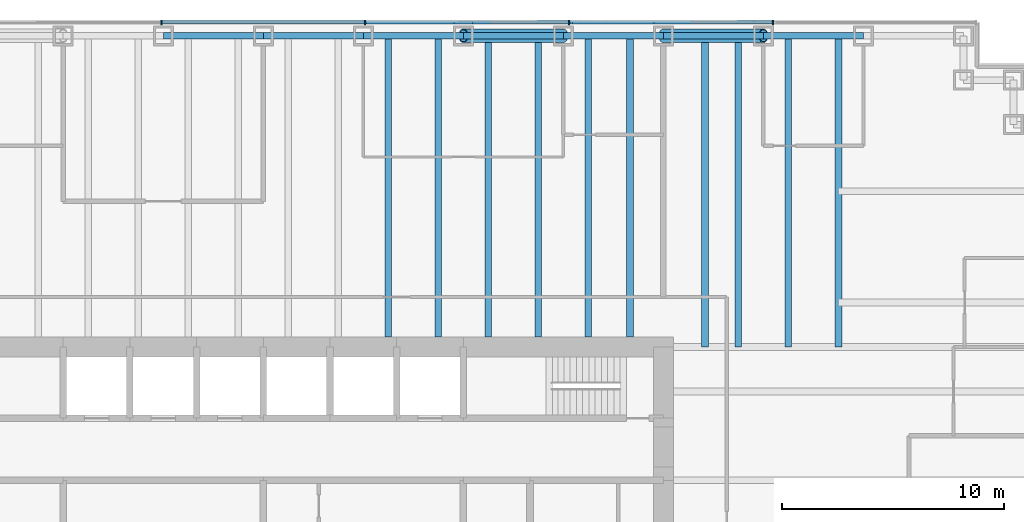
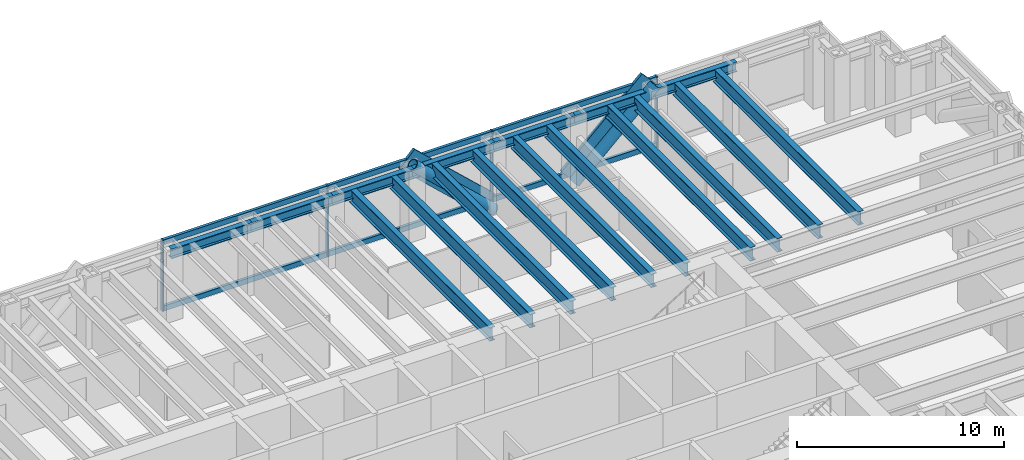
# One storey, part 7 of 15: 17 beams, 14 members, 1 element without a shape of its own.
"""IFC4 building model written with IfcOpenShell, lengths in metres."""

from ifc_helpers import new_model, si_unit, direction, frame, origin, origin_2d, place, context, subcontext, project, spatial, rectangle, hollow_circle, i_section, extrude, material, material_profile, profile_set, type_object, element, aggregate, save


model = new_model("IFC4")

# Units and contexts
model_context = context("Model", 3, precision=1e-05, world=origin(), true_north=direction((0.0, 1.0)))
body_context = subcontext(model_context, "Body", "Model", "MODEL_VIEW")
ifc_project = project(units=[si_unit("LENGTHUNIT", "METRE"), si_unit("AREAUNIT", "SQUARE_METRE"), si_unit("VOLUMEUNIT", "CUBIC_METRE"), si_unit("PLANEANGLEUNIT", "RADIAN"), si_unit("MASSUNIT", "GRAM", prefix="KILO")], contexts=[model_context])

# Site, building, storey
site_placement = place(None, origin())
site = spatial("IfcSite", under=ifc_project, at=site_placement, CompositionType="ELEMENT")
building_placement = place(site_placement, origin())
building = spatial("IfcBuilding", under=site, at=building_placement, Name="Rheinbord Bourse Tower", CompositionType="ELEMENT")
storey_placement = place(building_placement, frame((0.0, 0.0, 142.5)))
storey = spatial("IfcBuildingStorey", under=building, at=storey_placement, Name="L31", CompositionType="ELEMENT", Elevation=142.5)

# Curtain wall, members
ifc_material_1 = material(Name="Dark glass and black aluminium", Category="aluminium")
curtain_wall_type = type_object("IfcCurtainWallType", Name="CW2 DARK GLASS CURTAIN WALL", PredefinedType="USERDEFINED", material=ifc_material_1)
curtain_wall_placement = place(storey_placement, origin())
curtain_wall = element("IfcCurtainWall", 1, at=curtain_wall_placement, inside=storey, type_object=curtain_wall_type, Name="Curtain wall CW2 N L31", ObjectType="UNITISED CURTAIN WALL", PredefinedType="USERDEFINED")
ifc_material_2 = material(Name="Black anodised aluminium", Category="aluminium")
ifc_material_profile_1 = material_profile(ifc_material_2, rectangle(XDim=0.159912109375, YDim=1.2099609375, at=origin_2d()), Name="CW2 DIAGONAL MULLION 1210x160")
ifc_profile_set_1 = profile_set([ifc_material_profile_1], Name="Black anodised aluminium")
member_type_1 = type_object("IfcMemberType", Name="CW2 BLACK DIAGONAL MULLION", PredefinedType="USERDEFINED", material=ifc_profile_set_1)
member_1_placement = place(storey_placement, frame((49.5, 46.60009765625, 0.0), z_axis=(-0.73105922506, 0.0, 0.682314010889), x_axis=(0.0, -1.0, 0.0)))
member_1 = element("IfcMember", 2, at=member_1_placement, type_object=member_type_1, Name="CW2 diagonal mullion b", ObjectType="DIAGONAL MULLION", PredefinedType="USERDEFINED", context=body_context, shape_type="SweptSolid", body=[
    extrude(rectangle(XDim=0.159912109375, YDim=1.2099609375, at=origin_2d()), origin(), (0.0, 0.0, 1.0), 6.155517578125),
])
member_2_placement = place(storey_placement, frame((54.0, 46.60009765625, 0.0), z_axis=(0.73105922506, 0.0, 0.682314010889), x_axis=(0.0, 1.0, 0.0)))
member_2 = element("IfcMember", 3, at=member_2_placement, type_object=member_type_1, Name="CW2 diagonal mullion c", ObjectType="DIAGONAL MULLION", PredefinedType="USERDEFINED", context=body_context, shape_type="SweptSolid", body=[
    extrude(rectangle(XDim=0.159912109375, YDim=1.2099609375, at=origin_2d()), origin(), (0.0, 0.0, 1.0), 6.155517578125),
])
ifc_material_3 = material(Name="Black anodised aluminium", Category="aluminium")
ifc_material_profile_2 = material_profile(ifc_material_3, rectangle(XDim=0.219970703125, YDim=0.070068359375, at=origin_2d()), Name="CW2 MULLION 70x220")
ifc_profile_set_2 = profile_set([ifc_material_profile_2], Name="Black anodised aluminium")
member_type_2 = type_object("IfcMemberType", Name="CW2 BLACK MULLION", PredefinedType="MULLION", material=ifc_profile_set_2)
member_3_placement = place(storey_placement, frame((58.928466796875, 46.60009765625, 0.0), z_axis=(0.0, 0.0, 1.0), x_axis=(0.0, -1.0, 0.0)))
member_3 = element("IfcMember", 4, at=member_3_placement, type_object=member_type_2, Name="CW2 mullion 2", PredefinedType="MULLION", context=body_context, shape_type="SweptSolid", body=[
    extrude(rectangle(XDim=0.219970703125, YDim=0.070068359375, at=origin_2d()), origin(), (0.0, 0.0, 1.0), 4.199951171875),
])
member_4_placement = place(storey_placement, frame((49.757080078125, 46.60009765625, 0.0), z_axis=(0.0, 0.0, 1.0), x_axis=(0.0, -1.0, 0.0)))
member_4 = element("IfcMember", 5, at=member_4_placement, type_object=member_type_2, Name="CW2 mullion 3", PredefinedType="MULLION", context=body_context, shape_type="SweptSolid", body=[
    extrude(rectangle(XDim=0.219970703125, YDim=0.070068359375, at=origin_2d()), origin(), (0.0, 0.0, 1.0), 4.199951171875),
])
member_5_placement = place(storey_placement, frame((40.585693359375, 46.60009765625, 0.0), z_axis=(0.0, 0.0, 1.0), x_axis=(0.0, -1.0, 0.0)))
member_5 = element("IfcMember", 6, at=member_5_placement, type_object=member_type_2, Name="CW2 mullion 4", PredefinedType="MULLION", context=body_context, shape_type="SweptSolid", body=[
    extrude(rectangle(XDim=0.219970703125, YDim=0.070068359375, at=origin_2d()), origin(), (0.0, 0.0, 1.0), 4.199951171875),
])
member_6_placement = place(storey_placement, frame((31.414306640625, 46.60009765625, 0.0), z_axis=(0.0, 0.0, 1.0), x_axis=(0.0, -1.0, 0.0)))
member_6 = element("IfcMember", 7, at=member_6_placement, type_object=member_type_2, Name="CW2 mullion 5", PredefinedType="MULLION", context=body_context, shape_type="SweptSolid", body=[
    extrude(rectangle(XDim=0.219970703125, YDim=0.070068359375, at=origin_2d()), origin(), (0.0, 0.0, 1.0), 4.199951171875),
])
ifc_material_4 = material(Name="Black anodised aluminium", Category="aluminium")
ifc_material_profile_3 = material_profile(ifc_material_4, rectangle(XDim=0.159912109375, YDim=0.300048828125, at=origin_2d()), Name="CW2 TRANSOM 300x160")
ifc_profile_set_3 = profile_set([ifc_material_profile_3], Name="Black anodised aluminium")
member_type_3 = type_object("IfcMemberType", Name="CW2 BLACK TRANSOM", PredefinedType="USERDEFINED", material=ifc_profile_set_3)
member_7_placement = place(storey_placement, frame((58.8935546875, 46.60009765625, 0.14990234375), z_axis=(-1.0, 0.0, 0.0), x_axis=(0.0, -1.0, 0.0)))
member_7 = element("IfcMember", 8, at=member_7_placement, type_object=member_type_3, Name="CW2 transom 2.1", ObjectType="TRANSOM", PredefinedType="USERDEFINED", context=body_context, shape_type="SweptSolid", body=[
    extrude(rectangle(XDim=0.159912109375, YDim=0.300048828125, at=origin_2d()), origin(), (0.0, 0.0, 1.0), 9.101318359375),
])
member_8_placement = place(storey_placement, frame((58.8935546875, 46.60009765625, 4.050048828125), z_axis=(-1.0, 0.0, 0.0), x_axis=(0.0, -1.0, 0.0)))
member_8 = element("IfcMember", 9, at=member_8_placement, type_object=member_type_3, Name="CW2 transom 2.2", ObjectType="TRANSOM", PredefinedType="USERDEFINED", context=body_context, shape_type="SweptSolid", body=[
    extrude(rectangle(XDim=0.159912109375, YDim=0.300048828125, at=origin_2d()), origin(), (0.0, 0.0, 1.0), 9.101318359375),
])
member_9_placement = place(storey_placement, frame((49.72216796875, 46.60009765625, 0.14990234375), z_axis=(-1.0, 0.0, 0.0), x_axis=(0.0, -1.0, 0.0)))
member_9 = element("IfcMember", 10, at=member_9_placement, type_object=member_type_3, Name="CW2 transom 3.1", ObjectType="TRANSOM", PredefinedType="USERDEFINED", context=body_context, shape_type="SweptSolid", body=[
    extrude(rectangle(XDim=0.159912109375, YDim=0.300048828125, at=origin_2d()), origin(), (0.0, 0.0, 1.0), 9.1015625),
])
member_10_placement = place(storey_placement, frame((49.72216796875, 46.60009765625, 4.050048828125), z_axis=(-1.0, 0.0, 0.0), x_axis=(0.0, -1.0, 0.0)))
member_10 = element("IfcMember", 11, at=member_10_placement, type_object=member_type_3, Name="CW2 transom 3.2", ObjectType="TRANSOM", PredefinedType="USERDEFINED", context=body_context, shape_type="SweptSolid", body=[
    extrude(rectangle(XDim=0.159912109375, YDim=0.300048828125, at=origin_2d()), origin(), (0.0, 0.0, 1.0), 9.1015625),
])
member_11_placement = place(storey_placement, frame((40.55078125, 46.60009765625, 0.14990234375), z_axis=(-1.0, 0.0, 0.0), x_axis=(0.0, -1.0, 0.0)))
member_11 = element("IfcMember", 12, at=member_11_placement, type_object=member_type_3, Name="CW2 transom 4.1", ObjectType="TRANSOM", PredefinedType="USERDEFINED", context=body_context, shape_type="SweptSolid", body=[
    extrude(rectangle(XDim=0.159912109375, YDim=0.300048828125, at=origin_2d()), origin(), (0.0, 0.0, 1.0), 9.1015625),
])
member_12_placement = place(storey_placement, frame((40.55078125, 46.60009765625, 4.050048828125), z_axis=(-1.0, 0.0, 0.0), x_axis=(0.0, -1.0, 0.0)))
member_12 = element("IfcMember", 13, at=member_12_placement, type_object=member_type_3, Name="CW2 transom 4.2", ObjectType="TRANSOM", PredefinedType="USERDEFINED", context=body_context, shape_type="SweptSolid", body=[
    extrude(rectangle(XDim=0.159912109375, YDim=0.300048828125, at=origin_2d()), origin(), (0.0, 0.0, 1.0), 9.1015625),
])
aggregate(curtain_wall, [member_3, member_4, member_5, member_6, member_7, member_8, member_9, member_10, member_11, member_12, member_1, member_2])

# Beams
ifc_material_5 = material(Name="Steel S460", Category="steel")
ifc_material_profile_4 = material_profile(ifc_material_5, i_section(OverallWidth=0.300048828125, OverallDepth=0.800048828125, WebThickness=0.017578125, FlangeThickness=0.032958984375, at=origin_2d()), Name="HEB 800")
ifc_profile_set_4 = profile_set([ifc_material_profile_4], Name="Steel S460")
beam_type_1 = type_object("IfcBeamType", Name="FLOOR BEAM HEB 800", PredefinedType="BEAM", material=ifc_profile_set_4)
for number, where, z_axis, x_axis, name in (
    (14, (41.625, 46.0, 3.639892578125), (0.0, -1.0, 0.0), (1.0, 0.0, 0.0), "Floor beam N-40.5a L32"),
    (15, (43.875, 46.0, 3.639892578125), (0.0, -1.0, 0.0), (1.0, 0.0, 0.0), "Floor beam N-40.5b L32"),
    (16, (46.125, 46.0, 3.639892578125), (0.0, -1.0, 0.0), (1.0, 0.0, 0.0), "Floor beam N-45a L32"),
    (17, (48.375, 46.0, 3.639892578125), (0.0, -1.0, 0.0), (1.0, 0.0, 0.0), "Floor beam N-45b L32"),
    (18, (50.625, 46.0, 3.639892578125), (0.0, -1.0, 0.0), (1.0, 0.0, 0.0), "Floor beam N-49.5a L32"),
    (19, (52.5, 46.0, 3.639892578125), (0.0, -1.0, 0.0), (1.0, 0.0, 0.0), "Floor beam N-49.5b L32"),
):
    element("IfcBeam", number, at=place(storey_placement, frame(where, z_axis=z_axis, x_axis=x_axis)), inside=storey, type_object=beam_type_1, Name=name, PredefinedType="BEAM", context=body_context, shape_type="SweptSolid", body=[
        extrude(i_section(OverallWidth=0.300048828125, OverallDepth=0.800048828125, WebThickness=0.017578125, FlangeThickness=0.032958984375, at=origin_2d()), origin(), (0.0, 0.0, 1.0), 13.550048828125),
    ])
for number, where, z_axis, x_axis, name in (
    (20, (55.875, 46.0, 3.639892578125), (0.0, -1.0, 0.0), (1.0, 0.0, 0.0), "Floor beam N-54a L32"),
    (21, (57.375, 46.0, 3.639892578125), (0.0, -1.0, 0.0), (1.0, 0.0, 0.0), "Floor beam N-54b L32"),
    (22, (59.625, 46.0, 3.639892578125), (0.0, -1.0, 0.0), (1.0, 0.0, 0.0), "Floor beam N-58.5a L32"),
    (23, (61.875, 46.0, 3.639892578125), (0.0, -1.0, 0.0), (1.0, 0.0, 0.0), "Floor beam N-58.5b L32"),
):
    element("IfcBeam", number, at=place(storey_placement, frame(where, z_axis=z_axis, x_axis=x_axis)), inside=storey, type_object=beam_type_1, Name=name, PredefinedType="BEAM", context=body_context, shape_type="SweptSolid", body=[
        extrude(i_section(OverallWidth=0.300048828125, OverallDepth=0.800048828125, WebThickness=0.017578125, FlangeThickness=0.032958984375, at=origin_2d()), origin(), (0.0, 0.0, 1.0), 14.0),
    ])

# Members
ifc_material_6 = material(Name="Steel S460", Category="steel")
ifc_material_profile_5 = material_profile(ifc_material_6, hollow_circle(Radius=0.304931640625, WallThickness=0.0400390625, at=origin_2d()), Name="CHS 610x40")
ifc_profile_set_5 = profile_set([ifc_material_profile_5], Name="Steel S460")
member_type_4 = type_object("IfcMemberType", Name="MEGABRACE CHS 610x40", PredefinedType="BRACE", material=ifc_profile_set_5)
for number, where, z_axis, x_axis, name in (
    (24, (49.5, 46.0, 0.0), (-0.73105922506, 0.0, 0.682314010889), (0.0, -1.0, 0.0), "Megabrace N face line b L31"),
    (25, (54.0, 46.0, 0.0), (0.73105922506, 0.0, 0.682314010889), (0.0, 1.0, 0.0), "Megabrace N face line c L31"),
):
    element("IfcMember", number, at=place(storey_placement, frame(where, z_axis=z_axis, x_axis=x_axis)), inside=storey, type_object=member_type_4, Name=name, PredefinedType="BRACE", context=body_context, shape_type="SweptSolid", body=[
        extrude(hollow_circle(Radius=0.304931640625, WallThickness=0.0400390625, at=origin_2d()), origin(), (0.0, 0.0, 1.0), 6.155517578125),
    ])

# Beams
ifc_material_7 = material(Name="Steel S460", Category="steel")
ifc_material_profile_6 = material_profile(ifc_material_7, i_section(OverallWidth=0.305908203125, OverallDepth=0.572021484375, WebThickness=0.02099609375, FlangeThickness=0.0400390625, at=origin_2d()), Name="HEM 550")
ifc_profile_set_6 = profile_set([ifc_material_profile_6], Name="Steel S460")
beam_type_2 = type_object("IfcBeamType", Name="SPANDREL HEM 550", PredefinedType="SPANDREL", material=ifc_profile_set_6)
for number, where, z_axis, x_axis, name in (
    (26, (63.0, 46.0, 3.75390625), (-1.0, 0.0, 0.0), (0.0, -1.0, 0.0), "Spandrel N-63-N-58.5 under L32"),
    (27, (58.5, 46.0, 3.75390625), (-1.0, 0.0, 0.0), (0.0, -1.0, 0.0), "Spandrel N-58.5-N-54 under L32"),
    (28, (54.0, 46.0, 3.75390625), (-1.0, 0.0, 0.0), (0.0, -1.0, 0.0), "Spandrel N-54-N-49.5 under L32"),
    (29, (49.5, 46.0, 3.75390625), (-1.0, 0.0, 0.0), (0.0, -1.0, 0.0), "Spandrel N-49.5-N-45 under L32"),
    (30, (45.0, 46.0, 3.75390625), (-1.0, 0.0, 0.0), (0.0, -1.0, 0.0), "Spandrel N-45-N-40.5 under L32"),
    (31, (40.5, 46.0, 3.75390625), (-1.0, 0.0, 0.0), (0.0, -1.0, 0.0), "Spandrel N-40.5-N-36 under L32"),
    (32, (36.0, 46.0, 3.75390625), (-1.0, 0.0, 0.0), (0.0, -1.0, 0.0), "Spandrel N-36-N-31.5 under L32"),
):
    element("IfcBeam", number, at=place(storey_placement, frame(where, z_axis=z_axis, x_axis=x_axis)), inside=storey, type_object=beam_type_2, Name=name, PredefinedType="SPANDREL", context=body_context, shape_type="SweptSolid", body=[
        extrude(i_section(OverallWidth=0.305908203125, OverallDepth=0.572021484375, WebThickness=0.02099609375, FlangeThickness=0.0400390625, at=origin_2d()), origin(), (0.0, 0.0, 1.0), 4.5),
    ])

save(model, "model.ifc")
